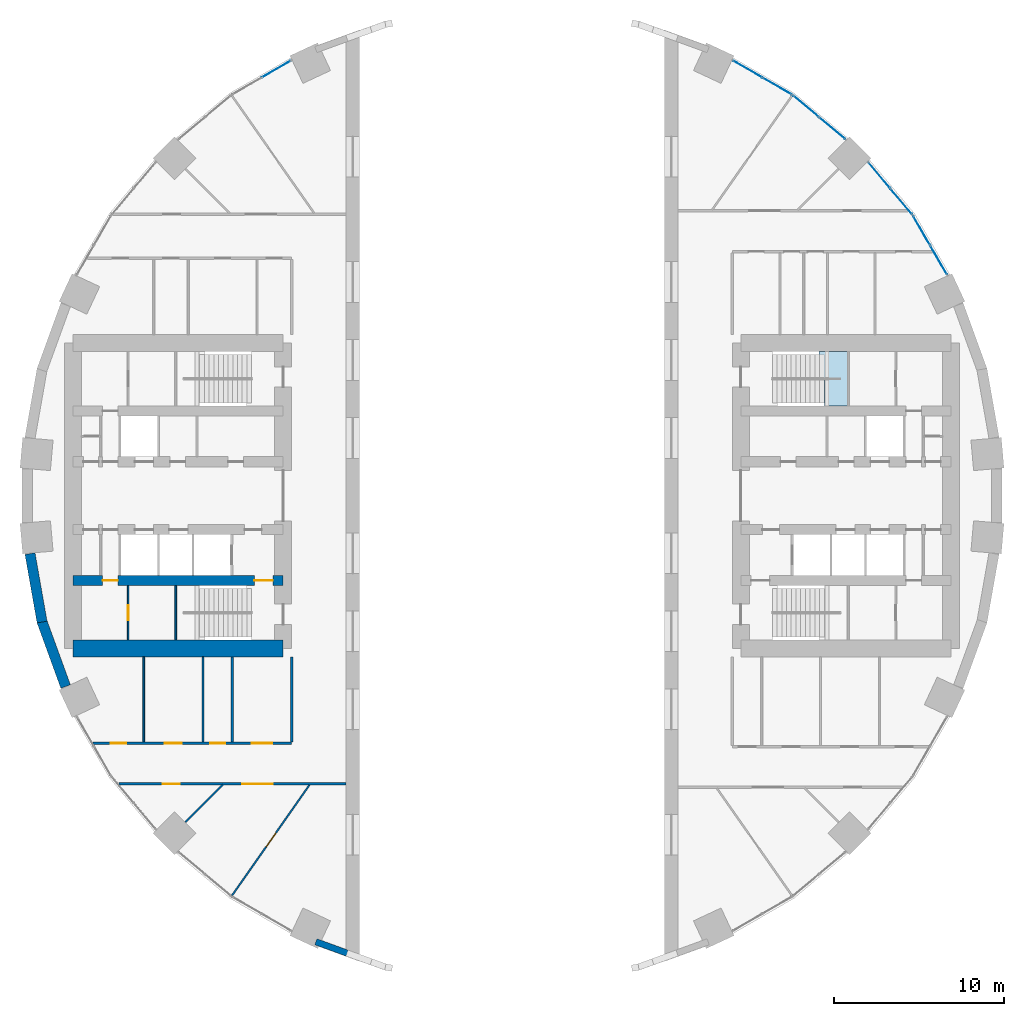
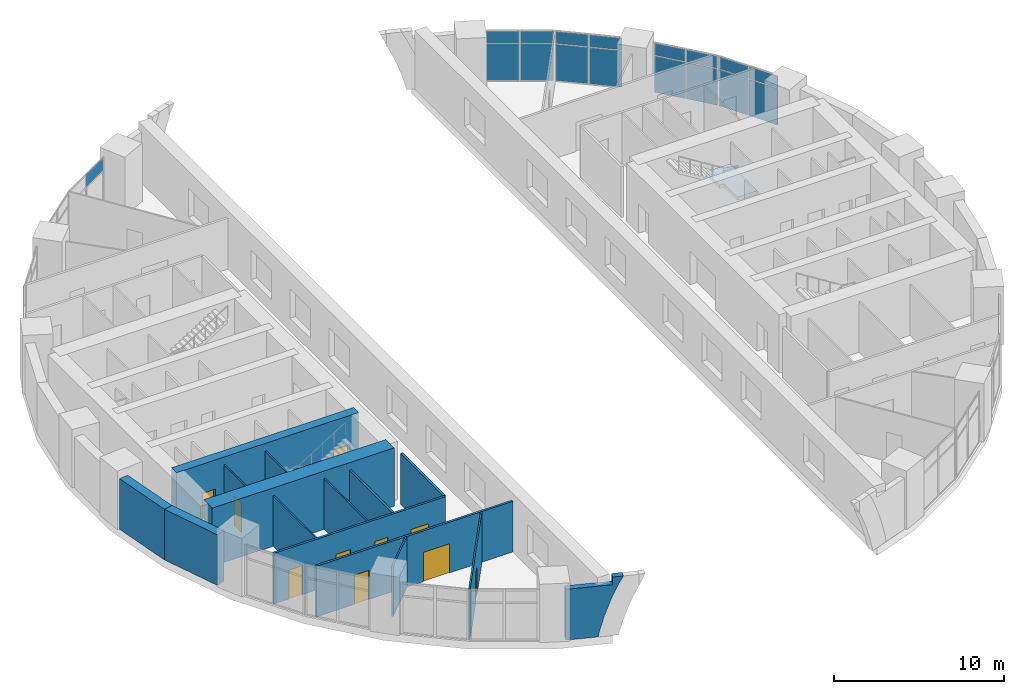
# One storey, part 7 of 13: 17 plates, 15 walls, 10 doors, 1 slab, 10 openings, 6 elements without a shape of their own.
"""IFC4 building model written with IfcOpenShell, lengths in metres."""

from ifc_helpers import new_model, si_unit, direction, frame, frame_2d, origin, origin_2d, place, context, subcontext, project, spatial, polyline, rectangle, outline, extrude, material, layer, layer_set, type_object, element, fill, aggregate, save


model = new_model("IFC4")

# Units and contexts
model_context = context("Model", 3, precision=1e-05, world=origin(), true_north=direction((0.0, 1.0)))
body_context = subcontext(model_context, "Body", "Model", "MODEL_VIEW")
ifc_project = project(units=[si_unit("LENGTHUNIT", "METRE"), si_unit("AREAUNIT", "SQUARE_METRE"), si_unit("VOLUMEUNIT", "CUBIC_METRE"), si_unit("PLANEANGLEUNIT", "RADIAN"), si_unit("MASSUNIT", "GRAM", prefix="KILO")], contexts=[model_context])

# Site, building, storey
site_placement = place(None, origin())
site = spatial("IfcSite", under=ifc_project, at=site_placement, CompositionType="ELEMENT")
building_placement = place(site_placement, origin())
building = spatial("IfcBuilding", under=site, at=building_placement, Name="Saqina Gate Tower", CompositionType="ELEMENT")
storey_placement = place(building_placement, frame((0.0, 0.0, 9.199951171875)))
storey = spatial("IfcBuildingStorey", under=building, at=storey_placement, Name="L02", CompositionType="ELEMENT", Elevation=9.199951171875)

# Curtain wall, plates
ifc_material_1 = material(Name="Aluminium glazing", Category="aluminium")
ifc_layer_1 = layer(ifc_material_1, 0.159912109375)
ifc_layer_set_1 = layer_set([ifc_layer_1], Name="CWT-1")
curtain_wall_type = type_object("IfcCurtainWallType", Name="CWT-1", PredefinedType="NOTDEFINED", material=ifc_layer_set_1)
curtain_wall_1_placement = place(storey_placement, origin())
curtain_wall_1 = element("IfcCurtainWall", 1, at=curtain_wall_1_placement, inside=storey, type_object=curtain_wall_type, Name="Podium shopfront facet 3", PredefinedType="NOTDEFINED")
ifc_material_2 = material(Name="Glass", Category="glass")
ifc_layer_2 = layer(ifc_material_2, 0.028076171875)
ifc_layer_set_2 = layer_set([ifc_layer_2], Name="CWT-1P")
plate_type = type_object("IfcPlateType", Name="CWT-1P", PredefinedType="CURTAIN_PANEL", material=ifc_layer_set_2)
plate_1_placement = place(storey_placement, frame((25.158935546875, 13.90283203125, 0.06005859375), z_axis=(0.0, 0.0, 1.0), x_axis=(-0.500013894893, 0.866017381415, 0.0)))
plate_1 = element("IfcPlate", 2, at=plate_1_placement, type_object=plate_type, Name="CW1-03 panel 1.1", PredefinedType="CURTAIN_PANEL", context=body_context, shape_type="SweptSolid", body=[
    extrude(rectangle(XDim=1.944580078125, YDim=0.028076171875, at=origin_2d()), origin(), (0.0, 0.0, 1.0), 2.610107421875),
])
plate_2_placement = place(storey_placement, frame((25.158935546875, 13.90283203125, 2.72998046875), z_axis=(0.0, 0.0, 1.0), x_axis=(-0.500013894893, 0.866017381415, 0.0)))
plate_2 = element("IfcPlate", 3, at=plate_2_placement, type_object=plate_type, Name="CW1-03 panel 1.2", PredefinedType="CURTAIN_PANEL", context=body_context, shape_type="SweptSolid", body=[
    extrude(rectangle(XDim=1.944580078125, YDim=0.028076171875, at=origin_2d()), origin(), (0.0, 0.0, 1.0), 0.860107421875),
])
plate_3_placement = place(storey_placement, frame((24.15673828125, 15.638671875, 0.06005859375), z_axis=(0.0, 0.0, 1.0), x_axis=(-0.500013894893, 0.866017381415, 0.0)))
plate_3 = element("IfcPlate", 4, at=plate_3_placement, type_object=plate_type, Name="CW1-03 panel 2.1", PredefinedType="CURTAIN_PANEL", context=body_context, shape_type="SweptSolid", body=[
    extrude(rectangle(XDim=1.944580078125, YDim=0.028076171875, at=origin_2d()), origin(), (0.0, 0.0, 1.0), 2.610107421875),
])
plate_4_placement = place(storey_placement, frame((24.15673828125, 15.638671875, 2.72998046875), z_axis=(0.0, 0.0, 1.0), x_axis=(-0.500013894893, 0.866017381415, 0.0)))
plate_4 = element("IfcPlate", 5, at=plate_4_placement, type_object=plate_type, Name="CW1-03 panel 2.2", PredefinedType="CURTAIN_PANEL", context=body_context, shape_type="SweptSolid", body=[
    extrude(rectangle(XDim=1.944580078125, YDim=0.028076171875, at=origin_2d()), origin(), (0.0, 0.0, 1.0), 0.860107421875),
])
aggregate(curtain_wall_1, [plate_1, plate_2, plate_3, plate_4])

curtain_wall_2_placement = place(storey_placement, origin())
curtain_wall_2 = element("IfcCurtainWall", 6, at=curtain_wall_2_placement, inside=storey, type_object=curtain_wall_type, Name="Podium shopfront facet 4", PredefinedType="NOTDEFINED")
plate_5_placement = place(storey_placement, frame((22.957763671875, 17.35107421875, 0.06005859375), z_axis=(0.0, 0.0, 1.0), x_axis=(-0.642779322911, 0.766051396473, 0.0)))
plate_5 = element("IfcPlate", 7, at=plate_5_placement, type_object=plate_type, Name="CW1-04 panel 1.1", PredefinedType="CURTAIN_PANEL", context=body_context, shape_type="SweptSolid", body=[
    extrude(rectangle(XDim=1.944580078125, YDim=0.028076171875, at=origin_2d()), origin(), (0.0, 0.0, 1.0), 2.610107421875),
])
plate_6_placement = place(storey_placement, frame((22.957763671875, 17.35107421875, 2.72998046875), z_axis=(0.0, 0.0, 1.0), x_axis=(-0.642779322911, 0.766051396473, 0.0)))
plate_6 = element("IfcPlate", 8, at=plate_6_placement, type_object=plate_type, Name="CW1-04 panel 1.2", PredefinedType="CURTAIN_PANEL", context=body_context, shape_type="SweptSolid", body=[
    extrude(rectangle(XDim=1.944580078125, YDim=0.028076171875, at=origin_2d()), origin(), (0.0, 0.0, 1.0), 0.860107421875),
])
plate_7_placement = place(storey_placement, frame((21.669189453125, 18.88671875, 0.06005859375), z_axis=(0.0, 0.0, 1.0), x_axis=(-0.642779322911, 0.766051396473, 0.0)))
plate_7 = element("IfcPlate", 9, at=plate_7_placement, type_object=plate_type, Name="CW1-04 panel 2.1", PredefinedType="CURTAIN_PANEL", context=body_context, shape_type="SweptSolid", body=[
    extrude(rectangle(XDim=1.944580078125, YDim=0.028076171875, at=origin_2d()), origin(), (0.0, 0.0, 1.0), 2.610107421875),
])
plate_8_placement = place(storey_placement, frame((21.669189453125, 18.88671875, 2.72998046875), z_axis=(0.0, 0.0, 1.0), x_axis=(-0.642779322911, 0.766051396473, 0.0)))
plate_8 = element("IfcPlate", 10, at=plate_8_placement, type_object=plate_type, Name="CW1-04 panel 2.2", PredefinedType="CURTAIN_PANEL", context=body_context, shape_type="SweptSolid", body=[
    extrude(rectangle(XDim=1.944580078125, YDim=0.028076171875, at=origin_2d()), origin(), (0.0, 0.0, 1.0), 0.860107421875),
])
aggregate(curtain_wall_2, [plate_5, plate_6, plate_7, plate_8])

curtain_wall_3_placement = place(storey_placement, origin())
curtain_wall_3 = element("IfcCurtainWall", 11, at=curtain_wall_3_placement, inside=storey, type_object=curtain_wall_type, Name="Podium shopfront facet 5", PredefinedType="NOTDEFINED")
plate_9_placement = place(storey_placement, frame((18.88671875, 21.669189453125, 0.06005859375), z_axis=(0.0, 0.0, 1.0), x_axis=(-0.766051396473, 0.642779322911, 0.0)))
plate_9 = element("IfcPlate", 12, at=plate_9_placement, type_object=plate_type, Name="CW1-05 panel 1.1", PredefinedType="CURTAIN_PANEL", context=body_context, shape_type="SweptSolid", body=[
    extrude(rectangle(XDim=1.944580078125, YDim=0.028076171875, at=origin_2d()), origin(), (0.0, 0.0, 1.0), 2.610107421875),
])
plate_10_placement = place(storey_placement, frame((18.88671875, 21.669189453125, 2.72998046875), z_axis=(0.0, 0.0, 1.0), x_axis=(-0.766051396473, 0.642779322911, 0.0)))
plate_10 = element("IfcPlate", 13, at=plate_10_placement, type_object=plate_type, Name="CW1-05 panel 1.2", PredefinedType="CURTAIN_PANEL", context=body_context, shape_type="SweptSolid", body=[
    extrude(rectangle(XDim=1.944580078125, YDim=0.028076171875, at=origin_2d()), origin(), (0.0, 0.0, 1.0), 0.860107421875),
])
plate_11_placement = place(storey_placement, frame((17.35107421875, 22.957763671875, 0.06005859375), z_axis=(0.0, 0.0, 1.0), x_axis=(-0.766051396473, 0.642779322911, 0.0)))
plate_11 = element("IfcPlate", 14, at=plate_11_placement, type_object=plate_type, Name="CW1-05 panel 2.1", PredefinedType="CURTAIN_PANEL", context=body_context, shape_type="SweptSolid", body=[
    extrude(rectangle(XDim=1.944580078125, YDim=0.028076171875, at=origin_2d()), origin(), (0.0, 0.0, 1.0), 2.610107421875),
])
plate_12_placement = place(storey_placement, frame((17.35107421875, 22.957763671875, 2.72998046875), z_axis=(0.0, 0.0, 1.0), x_axis=(-0.766051396473, 0.642779322911, 0.0)))
plate_12 = element("IfcPlate", 15, at=plate_12_placement, type_object=plate_type, Name="CW1-05 panel 2.2", PredefinedType="CURTAIN_PANEL", context=body_context, shape_type="SweptSolid", body=[
    extrude(rectangle(XDim=1.944580078125, YDim=0.028076171875, at=origin_2d()), origin(), (0.0, 0.0, 1.0), 0.860107421875),
])
aggregate(curtain_wall_3, [plate_9, plate_10, plate_11, plate_12])

curtain_wall_4_placement = place(storey_placement, origin())
curtain_wall_4 = element("IfcCurtainWall", 16, at=curtain_wall_4_placement, inside=storey, type_object=curtain_wall_type, Name="Podium shopfront facet 6", PredefinedType="NOTDEFINED")
plate_13_placement = place(storey_placement, frame((15.638671875, 24.15673828125, 0.06005859375), z_axis=(0.0, 0.0, 1.0), x_axis=(-0.866017381415, 0.500013894893, 0.0)))
plate_13 = element("IfcPlate", 17, at=plate_13_placement, type_object=plate_type, Name="CW1-06 panel 1.1", PredefinedType="CURTAIN_PANEL", context=body_context, shape_type="SweptSolid", body=[
    extrude(rectangle(XDim=1.944580078125, YDim=0.028076171875, at=origin_2d()), origin(), (0.0, 0.0, 1.0), 2.610107421875),
])
plate_14_placement = place(storey_placement, frame((15.638671875, 24.15673828125, 2.72998046875), z_axis=(0.0, 0.0, 1.0), x_axis=(-0.866017381415, 0.500013894893, 0.0)))
plate_14 = element("IfcPlate", 18, at=plate_14_placement, type_object=plate_type, Name="CW1-06 panel 1.2", PredefinedType="CURTAIN_PANEL", context=body_context, shape_type="SweptSolid", body=[
    extrude(rectangle(XDim=1.944580078125, YDim=0.028076171875, at=origin_2d()), origin(), (0.0, 0.0, 1.0), 0.860107421875),
])
plate_15_placement = place(storey_placement, frame((13.90283203125, 25.158935546875, 0.06005859375), z_axis=(0.0, 0.0, 1.0), x_axis=(-0.866017381415, 0.500013894893, 0.0)))
plate_15 = element("IfcPlate", 19, at=plate_15_placement, type_object=plate_type, Name="CW1-06 panel 2.1", PredefinedType="CURTAIN_PANEL", context=body_context, shape_type="SweptSolid", body=[
    extrude(rectangle(XDim=1.944580078125, YDim=0.028076171875, at=origin_2d()), origin(), (0.0, 0.0, 1.0), 2.610107421875),
])
plate_16_placement = place(storey_placement, frame((13.90283203125, 25.158935546875, 2.72998046875), z_axis=(0.0, 0.0, 1.0), x_axis=(-0.866017381415, 0.500013894893, 0.0)))
plate_16 = element("IfcPlate", 20, at=plate_16_placement, type_object=plate_type, Name="CW1-06 panel 2.2", PredefinedType="CURTAIN_PANEL", context=body_context, shape_type="SweptSolid", body=[
    extrude(rectangle(XDim=1.944580078125, YDim=0.028076171875, at=origin_2d()), origin(), (0.0, 0.0, 1.0), 0.860107421875),
])
aggregate(curtain_wall_4, [plate_13, plate_14, plate_15, plate_16])

# Curtain wall, plate
curtain_wall_5_placement = place(storey_placement, origin())
curtain_wall_5 = element("IfcCurtainWall", 21, at=curtain_wall_5_placement, inside=storey, type_object=curtain_wall_type, Name="Podium shopfront facet 12", PredefinedType="NOTDEFINED")
plate_17_placement = place(storey_placement, frame((-13.90283203125, 25.158935546875, 2.72998046875), z_axis=(0.0, 0.0, 1.0), x_axis=(-0.866017381415, -0.500013894893, 0.0)))
plate_17 = element("IfcPlate", 22, at=plate_17_placement, type_object=plate_type, Name="CW1-12 panel 1.2", PredefinedType="CURTAIN_PANEL", context=body_context, shape_type="SweptSolid", body=[
    extrude(rectangle(XDim=1.944580078125, YDim=0.028076171875, at=origin_2d()), origin(), (0.0, 0.0, 1.0), 0.860107421875),
])
aggregate(curtain_wall_5, [plate_17])

# Stair, slab
ifc_material_3 = material(Name="Concrete C40/50", Category="concrete")
stair_type = type_object("IfcStairType", Name="EXIT STAIR", PredefinedType="HALF_TURN_STAIR", material=ifc_material_3)
stair_placement = place(storey_placement, origin())
stair = element("IfcStair", 23, at=stair_placement, inside=storey, type_object=stair_type, Name="EXIT STAIR 1", PredefinedType="HALF_TURN_STAIR")
ifc_material_4 = material(Name="Concrete C40/50", Category="concrete")
ifc_layer_3 = layer(ifc_material_4, 0.25)
ifc_layer_set_3 = layer_set([ifc_layer_3], Name="Concrete C40/50")
slab_type = type_object("IfcSlabType", Name="EXIT STAIR LANDING", PredefinedType="LANDING", material=ifc_layer_set_3)
slab_placement = place(storey_placement, frame((0.0, 0.0, 1.85009765625)))
slab = element("IfcSlab", 24, at=slab_placement, type_object=slab_type, Name="EXIT STAIR 1 LANDING 1", PredefinedType="LANDING", context=body_context, shape_type="SweptSolid", body=[
    extrude(outline(polyline([(19.780029296875, 8.5), (19.780029296875, 5.300048828125), (18.425048828125, 5.300048828125), (18.425048828125, 6.89990234375), (18.10693359375, 6.89990234375), (18.10693359375, 8.5), (18.425048828125, 8.5), (18.429931640625, 8.5), (19.780029296875, 8.5)])), origin(), (0.0, 0.0, 1.0), 0.25),
])
aggregate(stair, [slab])

# Wall, opening, door
ifc_material_5 = material(Name="Gypsum board on steel studs", Category="steel")
ifc_layer_4 = layer(ifc_material_5, 0.10009765625)
ifc_layer_set_4 = layer_set([ifc_layer_4], Name="CORE PARTITION")
wall_type_1 = type_object("IfcWallType", Name="CORE PARTITION", PredefinedType="PARTITIONING", material=ifc_layer_set_4)
wall_1_placement = place(storey_placement, frame((-22.639892578125, -8.5, 0.0), z_axis=(0.0, 0.0, 1.0), x_axis=(0.0, 1.0, 0.0)))
wall_1 = element("IfcWall", 25, at=wall_1_placement, inside=storey, type_object=wall_type_1, Name="L02-CP-W14", PredefinedType="PARTITIONING", context=body_context, shape_type="SweptSolid", body=[
    extrude(rectangle(XDim=3.199951171875, YDim=0.10009765625, at=frame_2d((1.60009765625, 0.0))), origin(), (0.0, 0.0, 1.0), 3.650146484375),
])
opening_1_placement = place(wall_1_placement, frame((1.14990234375, 0.0, 0.0)))
opening_1 = element("IfcOpeningElement", 26, at=opening_1_placement, cuts=wall_1, Name="Opening L02-D116", PredefinedType="OPENING", context=body_context, shape_type="SweptSolid", body=[
    extrude(rectangle(XDim=0.89990234375, YDim=2.10009765625, at=frame_2d((0.449951171875, 1.050048828125))), frame((0.0, 0.06201171875, 0.0), z_axis=(0.0, -1.0, 0.0), x_axis=(1.0, 0.0, 0.0)), (0.0, 0.0, 1.0), 0.1240234375),
])
ifc_material_6 = material(Name="Steel-framed fire door leaf, EI 60", Category="steel")
door_type_1 = type_object("IfcDoorType", Name="SERVICE ROOM DOOR 900", OperationType="SINGLE_SWING_LEFT", PredefinedType="DOOR", material=ifc_material_6)
door_1_placement = place(opening_1_placement, frame((0.89990234375, 0.0, 0.0), z_axis=(0.0, 0.0, 1.0), x_axis=(-1.0, 0.0, 0.0)))
door_1 = element("IfcDoor", 27, at=door_1_placement, inside=storey, type_object=door_type_1, Name="L02-CD-W27", OperationType="SINGLE_SWING_RIGHT", OverallHeight=2.10009765625, OverallWidth=0.89990234375, PredefinedType="DOOR", context=body_context, shape_type="SweptSolid", body=[
    extrude(rectangle(XDim=0.89990234375, YDim=2.10009765625, at=frame_2d((0.449951171875, 1.050048828125))), frame((0.0, 0.02490234375, 0.0), z_axis=(0.0, -1.0, 0.0), x_axis=(1.0, 0.0, 0.0)), (0.0, 0.0, 1.0), 0.050048828125),
])
fill(opening_1, door_1)

# Walls
ifc_material_7 = material(Name="Glazed ceramic tile", Category="ceramic")
ifc_layer_5 = layer(ifc_material_7, 0.3798828125)
ifc_layer_set_5 = layer_set([ifc_layer_5], Name="FW-ARCH")
wall_type_2 = type_object("IfcWallType", Name="FW-ARCH", PredefinedType="SOLIDWALL", material=ifc_layer_set_5)
wall_2_placement = place(storey_placement, frame((-11.63427734375, -26.489501953125, 0.0), z_axis=(-0.342051555154, -0.93967909211, 0.001984305274), x_axis=(0.000667381896, 0.001868746859, 0.999998031191)))
element("IfcWall", 28, at=wall_2_placement, inside=storey, type_object=wall_type_2, Name="Arch frame wall L02 facet 25", PredefinedType="SOLIDWALL", context=body_context, shape_type="SweptSolid", body=[
    extrude(outline(polyline([(0.0, 0.0), (3.6501537019221018, -4.743384504624082e-20), (3.6501198020688137, -2.810119309742703), (4.199925557926761, -2.81025074623976), (4.199917719626534, -3.4670382149166654), (3.71920675976475, -3.2107254455572836), (2.622286896243544, -2.7269036098842347), (1.4948477201232493, -2.3276621119004526), (0.3427497354131093, -2.014606922465925), (-2.335139765218745e-05, -1.94881575440741), (0.0, 0.0)])), origin(), (0.0, 0.0, -1.0), 0.3798828125),
])
ifc_material_8 = material(Name="Glazed ceramic tile", Category="ceramic")
ifc_layer_6 = layer(ifc_material_8, 0.60009765625)
ifc_layer_set_6 = layer_set([ifc_layer_6], Name="FW-TILE")
wall_type_3 = type_object("IfcWallType", Name="FW-TILE", PredefinedType="SOLIDWALL", material=ifc_layer_set_6)
wall_3_placement = place(storey_placement, frame((-28.42822265625, -3.416748046875, 0.0), z_axis=(0.0, 0.0, 1.0), x_axis=(0.173673210505, -0.984803338719, 0.0)))
element("IfcWall", 29, at=wall_3_placement, inside=storey, type_object=wall_type_3, Name="Facade wall L02 facet 19", PredefinedType="SOLIDWALL", context=body_context, shape_type="SweptSolid", body=[
    extrude(rectangle(XDim=4.09912109375, YDim=0.60009765625, at=frame_2d((2.049560546875, 0.0))), origin(), (0.0, 0.0, 1.0), 3.650146484375),
])
ifc_material_9 = material(Name="Glazed ceramic tile (dark blue)", Category="ceramic")
ifc_layer_7 = layer(ifc_material_9, 0.60009765625)
ifc_layer_set_7 = layer_set([ifc_layer_7], Name="FW-TILE-CB")
wall_type_4 = type_object("IfcWallType", Name="FW-TILE-CB", PredefinedType="SOLIDWALL", material=ifc_layer_set_7)
wall_4_placement = place(storey_placement, frame((-27.72998046875, -7.403076171875, 0.0), z_axis=(0.0, 0.0, 1.0), x_axis=(0.342034744565, -0.939687306241, 0.0)))
element("IfcWall", 30, at=wall_4_placement, inside=storey, type_object=wall_type_4, Name="Facade wall L02 facet 20", PredefinedType="SOLIDWALL", context=body_context, shape_type="SweptSolid", body=[
    extrude(rectangle(XDim=4.099365234375, YDim=0.60009765625, at=frame_2d((2.0498046875, 0.0))), origin(), (0.0, 0.0, 1.0), 3.650146484375),
])
ifc_material_10 = material(Name="Gypsum board on steel studs, 100 mm", Category="steel")
ifc_layer_8 = layer(ifc_material_10, 0.10009765625)
ifc_layer_set_8 = layer_set([ifc_layer_8], Name="SPECIAL PARTITION 100")
wall_type_5 = type_object("IfcWallType", Name="SPECIAL PARTITION 100", PredefinedType="PARTITIONING", material=ifc_layer_set_8)
wall_5_placement = place(storey_placement, frame((-19.26220703125, -19.260986328125, 0.0), z_axis=(0.0, 0.0, 1.0), x_axis=(0.707302163116, 0.706911345256, 0.0)))
element("IfcWall", 31, at=wall_5_placement, inside=storey, type_object=wall_type_5, Name="PARTITION 013", PredefinedType="PARTITIONING", context=body_context, shape_type="SweptSolid", body=[
    extrude(rectangle(XDim=3.12353515625, YDim=0.10009765625, at=frame_2d((1.561767578125, 0.0))), origin(), (0.0, 0.0, 1.0), 3.650146484375),
])

# Wall, opening, door
wall_6_placement = place(storey_placement, frame((-16.51953125, -23.590576171875, 0.0), z_axis=(0.0, 0.0, 1.0), x_axis=(0.573630888732, 0.819113913624, 0.0)))
wall_6 = element("IfcWall", 32, at=wall_6_placement, inside=storey, type_object=wall_type_5, Name="PARTITION 015", PredefinedType="PARTITIONING", context=body_context, shape_type="SweptSolid", body=[
    extrude(rectangle(XDim=7.97119140625, YDim=0.10009765625, at=frame_2d((3.985595703125, 0.0))), origin(), (0.0, 0.0, 1.0), 3.650146484375),
])
opening_2_placement = place(wall_6_placement, frame((3.52294921875, 0.0, 0.0)))
opening_2 = element("IfcOpeningElement", 33, at=opening_2_placement, cuts=wall_6, Name="Opening L02-D22", PredefinedType="OPENING", context=body_context, shape_type="SweptSolid", body=[
    extrude(rectangle(XDim=1.0, YDim=2.10009765625, at=frame_2d((0.5, 1.050048828125))), frame((0.0, 0.06201171875, 0.0), z_axis=(0.0, -1.0, 0.0), x_axis=(1.0, 0.0, 0.0)), (0.0, 0.0, 1.0), 0.1240234375),
])
ifc_material_11 = material(Name="Timber door leaf", Category="wood")
door_type_2 = type_object("IfcDoorType", Name="SPECIAL DOOR 1000 TIMBER", OperationType="SINGLE_SWING_LEFT", PredefinedType="DOOR", material=ifc_material_11)
door_2_placement = place(opening_2_placement, frame((1.0, 0.0, 0.0), z_axis=(0.0, 0.0, 1.0), x_axis=(-1.0, 0.0, 0.0)))
door_2 = element("IfcDoor", 34, at=door_2_placement, inside=storey, type_object=door_type_2, Name="DOOR L02-D22", OperationType="SINGLE_SWING_LEFT", OverallHeight=2.10009765625, OverallWidth=1.0, PredefinedType="DOOR", context=body_context, shape_type="SweptSolid", body=[
    extrude(rectangle(XDim=1.0, YDim=2.10009765625, at=frame_2d((0.5, 1.050048828125))), frame((0.0, 0.02490234375, 0.0), z_axis=(0.0, -1.0, 0.0), x_axis=(1.0, 0.0, 0.0)), (0.0, 0.0, 1.0), 0.050048828125),
])
fill(opening_2, door_2)

# Walls
for number, where, z_axis, x_axis, name in (
    (35, (-18.22900390625, -14.52490234375, 0.0), (0.0, 0.0, 1.0), (0.0, 1.0, 0.0), "PARTITION 030"),
    (36, (-21.714111328125, -14.52490234375, 0.0), (0.0, 0.0, 1.0), (0.0, 1.0, 0.0), "PARTITION 033"),
):
    element("IfcWall", number, at=place(storey_placement, frame(where, z_axis=z_axis, x_axis=x_axis)), inside=storey, type_object=wall_type_5, Name=name, PredefinedType="PARTITIONING", context=body_context, shape_type="SweptSolid", body=[
        extrude(rectangle(XDim=5.02490234375, YDim=0.10009765625, at=frame_2d((2.512451171875, 0.0))), origin(), (0.0, 0.0, 1.0), 3.650146484375),
    ])

# Wall, openings, doors
ifc_material_12 = material(Name="Gypsum board on steel studs, 150 mm, fire rated", Category="steel")
ifc_layer_9 = layer(ifc_material_12, 0.14990234375)
ifc_layer_set_9 = layer_set([ifc_layer_9], Name="SPECIAL PARTITION EI 30 150")
wall_type_6 = type_object("IfcWallType", Name="SPECIAL PARTITION EI 30 150", PredefinedType="PARTITIONING", material=ifc_layer_set_9)
wall_7_placement = place(storey_placement, frame((-23.18701171875, -17.0, 0.0), z_axis=(0.0, 0.0, 1.0), x_axis=(1.0, 0.0, 0.0)))
wall_7 = element("IfcWall", 37, at=wall_7_placement, inside=storey, type_object=wall_type_6, Name="PARTITION 006", PredefinedType="PARTITIONING", context=body_context, shape_type="SweptSolid", body=[
    extrude(rectangle(XDim=13.386962890625, YDim=0.14990234375, at=frame_2d((6.693359375, 0.0))), origin(), (0.0, 0.0, 1.0), 3.650146484375),
])
opening_3_placement = place(wall_7_placement, frame((2.593505859375, 0.0, 0.0)))
opening_3 = element("IfcOpeningElement", 38, at=opening_3_placement, cuts=wall_7, Name="Opening L02-D19", PredefinedType="OPENING", context=body_context, shape_type="SweptSolid", body=[
    extrude(rectangle(XDim=1.0, YDim=2.10009765625, at=frame_2d((0.5, 1.050048828125))), frame((0.0, 0.0869140625, 0.0), z_axis=(0.0, -1.0, 0.0), x_axis=(1.0, 0.0, 0.0)), (0.0, 0.0, 1.0), 0.173828125),
])
opening_4_placement = place(wall_7_placement, frame((7.2890625, 0.0, 0.0)))
opening_4 = element("IfcOpeningElement", 39, at=opening_4_placement, cuts=wall_7, Name="Opening L02-D21", PredefinedType="OPENING", context=body_context, shape_type="SweptSolid", body=[
    extrude(rectangle(XDim=1.800048828125, YDim=2.10009765625, at=frame_2d((0.89990234375, 1.050048828125))), frame((0.0, 0.0869140625, 0.0), z_axis=(0.0, -1.0, 0.0), x_axis=(1.0, 0.0, 0.0)), (0.0, 0.0, 1.0), 0.173828125),
])
ifc_material_13 = material(Name="Steel-framed fire door leaf, EI 30", Category="steel")
door_type_3 = type_object("IfcDoorType", Name="SPECIAL DOOR 1000 FIRE EI 30", OperationType="SINGLE_SWING_LEFT", PredefinedType="DOOR", material=ifc_material_13)
door_3_placement = place(opening_3_placement, frame((1.0, 0.0, 0.0), z_axis=(0.0, 0.0, 1.0), x_axis=(-1.0, 0.0, 0.0)))
door_3 = element("IfcDoor", 40, at=door_3_placement, inside=storey, type_object=door_type_3, Name="DOOR L02-D19", OperationType="SINGLE_SWING_RIGHT", OverallHeight=2.10009765625, OverallWidth=1.0, PredefinedType="DOOR", context=body_context, shape_type="SweptSolid", body=[
    extrude(rectangle(XDim=1.0, YDim=2.10009765625, at=frame_2d((0.5, 1.050048828125))), frame((0.0, 0.02490234375, 0.0), z_axis=(0.0, -1.0, 0.0), x_axis=(1.0, 0.0, 0.0)), (0.0, 0.0, 1.0), 0.050048828125),
])
fill(opening_3, door_3)
ifc_material_14 = material(Name="Steel-framed fire door leaf, EI 30", Category="steel")
door_type_4 = type_object("IfcDoorType", Name="SPECIAL DOUBLE DOOR 1800 FIRE EI 30", OperationType="DOUBLE_DOOR_SINGLE_SWING", PredefinedType="DOOR", material=ifc_material_14)
door_4_placement = place(opening_4_placement, frame((1.800048828125, 0.0, 0.0), z_axis=(0.0, 0.0, 1.0), x_axis=(-1.0, 0.0, 0.0)))
door_4 = element("IfcDoor", 41, at=door_4_placement, inside=storey, type_object=door_type_4, Name="DOOR L02-D21", OperationType="DOUBLE_DOOR_SINGLE_SWING", OverallHeight=2.10009765625, OverallWidth=1.800048828125, PredefinedType="DOOR", context=body_context, shape_type="SweptSolid", body=[
    extrude(rectangle(XDim=1.800048828125, YDim=2.10009765625, at=frame_2d((0.89990234375, 1.050048828125))), frame((0.0, 0.02490234375, 0.0), z_axis=(0.0, -1.0, 0.0), x_axis=(1.0, 0.0, 0.0)), (0.0, 0.0, 1.0), 0.050048828125),
])
fill(opening_4, door_4)

ifc_material_15 = material(Name="Masonry block and plaster, 150 mm, fire rated", Category="masonry")
ifc_layer_10 = layer(ifc_material_15, 0.14990234375)
ifc_layer_set_10 = layer_set([ifc_layer_10], Name="SPECIAL PARTITION EI 60 150")
wall_type_7 = type_object("IfcWallType", Name="SPECIAL PARTITION EI 60 150", PredefinedType="PARTITIONING", material=ifc_layer_set_10)
wall_8_placement = place(storey_placement, frame((-24.697998046875, -14.60009765625, 0.0), z_axis=(0.0, 0.0, 1.0), x_axis=(1.0, 0.0, 0.0)))
wall_8 = element("IfcWall", 42, at=wall_8_placement, inside=storey, type_object=wall_type_7, Name="PARTITION 008", PredefinedType="PARTITIONING", context=body_context, shape_type="SweptSolid", body=[
    extrude(rectangle(XDim=11.697998046875, YDim=0.14990234375, at=frame_2d((5.84912109375, 0.0))), origin(), (0.0, 0.0, 1.0), 3.650146484375),
])
opening_5_placement = place(wall_8_placement, frame((1.0419921875, 0.0, 0.0)))
opening_5 = element("IfcOpeningElement", 43, at=opening_5_placement, cuts=wall_8, Name="Opening L02-D16", PredefinedType="OPENING", context=body_context, shape_type="SweptSolid", body=[
    extrude(rectangle(XDim=0.89990234375, YDim=2.10009765625, at=frame_2d((0.449951171875, 1.050048828125))), frame((0.0, 0.0869140625, 0.0), z_axis=(0.0, -1.0, 0.0), x_axis=(1.0, 0.0, 0.0)), (0.0, 0.0, 1.0), 0.173828125),
])
opening_6_placement = place(wall_8_placement, frame((4.2265625, 0.0, 0.0)))
opening_6 = element("IfcOpeningElement", 44, at=opening_6_placement, cuts=wall_8, Name="Opening L02-D17", PredefinedType="OPENING", context=body_context, shape_type="SweptSolid", body=[
    extrude(rectangle(XDim=1.0, YDim=2.10009765625, at=frame_2d((0.5, 1.050048828125))), frame((0.0, 0.0869140625, 0.0), z_axis=(0.0, -1.0, 0.0), x_axis=(1.0, 0.0, 0.0)), (0.0, 0.0, 1.0), 0.173828125),
])
opening_7_placement = place(wall_8_placement, frame((6.890380859375, 0.0, 0.0)))
opening_7 = element("IfcOpeningElement", 45, at=opening_7_placement, cuts=wall_8, Name="Opening L02-D18", PredefinedType="OPENING", context=body_context, shape_type="SweptSolid", body=[
    extrude(rectangle(XDim=0.89990234375, YDim=2.10009765625, at=frame_2d((0.449951171875, 1.050048828125))), frame((0.0, 0.0869140625, 0.0), z_axis=(0.0, -1.0, 0.0), x_axis=(1.0, 0.0, 0.0)), (0.0, 0.0, 1.0), 0.173828125),
])
opening_8_placement = place(wall_8_placement, frame((9.35498046875, 0.0, 0.0)))
opening_8 = element("IfcOpeningElement", 46, at=opening_8_placement, cuts=wall_8, Name="Opening L02-D20", PredefinedType="OPENING", context=body_context, shape_type="SweptSolid", body=[
    extrude(rectangle(XDim=1.199951171875, YDim=2.10009765625, at=frame_2d((0.60009765625, 1.050048828125))), frame((0.0, 0.0869140625, 0.0), z_axis=(0.0, -1.0, 0.0), x_axis=(1.0, 0.0, 0.0)), (0.0, 0.0, 1.0), 0.173828125),
])
ifc_material_16 = material(Name="Steel-framed fire door leaf, EI 60", Category="steel")
door_type_5 = type_object("IfcDoorType", Name="SPECIAL DOOR 1000 FIRE EI 60", OperationType="SINGLE_SWING_LEFT", PredefinedType="DOOR", material=ifc_material_16)
door_5_placement = place(opening_6_placement, origin())
door_5 = element("IfcDoor", 47, at=door_5_placement, inside=storey, type_object=door_type_5, Name="DOOR L02-D17", OperationType="SINGLE_SWING_LEFT", OverallHeight=2.10009765625, OverallWidth=1.0, PredefinedType="DOOR", context=body_context, shape_type="SweptSolid", body=[
    extrude(rectangle(XDim=1.0, YDim=2.10009765625, at=frame_2d((0.5, 1.050048828125))), frame((0.0, 0.02490234375, 0.0), z_axis=(0.0, -1.0, 0.0), x_axis=(1.0, 0.0, 0.0)), (0.0, 0.0, 1.0), 0.050048828125),
])
fill(opening_6, door_5)
ifc_material_17 = material(Name="Steel-framed fire door leaf, EI 60", Category="steel")
door_type_6 = type_object("IfcDoorType", Name="SPECIAL DOOR 1200 FIRE EI 60", OperationType="SINGLE_SWING_LEFT", PredefinedType="DOOR", material=ifc_material_17)
door_6_placement = place(opening_8_placement, origin())
door_6 = element("IfcDoor", 48, at=door_6_placement, inside=storey, type_object=door_type_6, Name="DOOR L02-D20", OperationType="SINGLE_SWING_RIGHT", OverallHeight=2.10009765625, OverallWidth=1.199951171875, PredefinedType="DOOR", context=body_context, shape_type="SweptSolid", body=[
    extrude(rectangle(XDim=1.199951171875, YDim=2.10009765625, at=frame_2d((0.60009765625, 1.050048828125))), frame((0.0, 0.02490234375, 0.0), z_axis=(0.0, -1.0, 0.0), x_axis=(1.0, 0.0, 0.0)), (0.0, 0.0, 1.0), 0.050048828125),
])
fill(opening_8, door_6)
ifc_material_18 = material(Name="Steel-framed fire door leaf, EI 60", Category="steel")
door_type_7 = type_object("IfcDoorType", Name="SPECIAL DOOR 900 FIRE EI 60", OperationType="SINGLE_SWING_LEFT", PredefinedType="DOOR", material=ifc_material_18)
door_7_placement = place(opening_5_placement, origin())
door_7 = element("IfcDoor", 49, at=door_7_placement, inside=storey, type_object=door_type_7, Name="DOOR L02-D16", OperationType="SINGLE_SWING_LEFT", OverallHeight=2.10009765625, OverallWidth=0.89990234375, PredefinedType="DOOR", context=body_context, shape_type="SweptSolid", body=[
    extrude(rectangle(XDim=0.89990234375, YDim=2.10009765625, at=frame_2d((0.449951171875, 1.050048828125))), frame((0.0, 0.02490234375, 0.0), z_axis=(0.0, -1.0, 0.0), x_axis=(1.0, 0.0, 0.0)), (0.0, 0.0, 1.0), 0.050048828125),
])
fill(opening_5, door_7)
door_8_placement = place(opening_7_placement, origin())
door_8 = element("IfcDoor", 50, at=door_8_placement, inside=storey, type_object=door_type_7, Name="DOOR L02-D18", OperationType="SINGLE_SWING_RIGHT", OverallHeight=2.10009765625, OverallWidth=0.89990234375, PredefinedType="DOOR", context=body_context, shape_type="SweptSolid", body=[
    extrude(rectangle(XDim=0.89990234375, YDim=2.10009765625, at=frame_2d((0.449951171875, 1.050048828125))), frame((0.0, 0.02490234375, 0.0), z_axis=(0.0, -1.0, 0.0), x_axis=(1.0, 0.0, 0.0)), (0.0, 0.0, 1.0), 0.050048828125),
])
fill(opening_7, door_8)

# Walls
for number, where, z_axis, x_axis, name in (
    (51, (-13.0, -14.52490234375, 0.0), (0.0, 0.0, 1.0), (0.0, 1.0, 0.0), "PARTITION 026"),
    (52, (-16.486083984375, -14.52490234375, 0.0), (0.0, 0.0, 1.0), (0.0, 1.0, 0.0), "PARTITION 029"),
):
    element("IfcWall", number, at=place(storey_placement, frame(where, z_axis=z_axis, x_axis=x_axis)), inside=storey, type_object=wall_type_7, Name=name, PredefinedType="PARTITIONING", context=body_context, shape_type="SweptSolid", body=[
        extrude(rectangle(XDim=5.02490234375, YDim=0.14990234375, at=frame_2d((2.512451171875, 0.0))), origin(), (0.0, 0.0, 1.0), 3.650146484375),
    ])
ifc_material_19 = material(Name="Autoclaved aerated concrete block", Category="concrete")
ifc_layer_11 = layer(ifc_material_19, 0.10009765625)
ifc_layer_set_11 = layer_set([ifc_layer_11], Name="STAIR ENCLOSURE WALL")
wall_type_8 = type_object("IfcWallType", Name="STAIR ENCLOSURE WALL", PredefinedType="PARTITIONING", material=ifc_layer_set_11)
wall_9_placement = place(storey_placement, frame((-19.830078125, -8.5, 0.0), z_axis=(0.0, 0.0, 1.0), x_axis=(0.0, 1.0, 0.0)))
element("IfcWall", 53, at=wall_9_placement, inside=storey, type_object=wall_type_8, Name="L02-CP-W13", PredefinedType="PARTITIONING", context=body_context, shape_type="SweptSolid", body=[
    extrude(rectangle(XDim=3.199951171875, YDim=0.10009765625, at=frame_2d((1.60009765625, 0.0))), origin(), (0.0, 0.0, 1.0), 3.650146484375),
])

# Wall, openings, doors
ifc_material_20 = material(Name="Concrete C70/85", Category="concrete")
ifc_layer_12 = layer(ifc_material_20, 0.60009765625)
ifc_layer_set_12 = layer_set([ifc_layer_12], Name="Concrete C70/85")
wall_type_9 = type_object("IfcWallType", Name="STR-CORE WALL-P-I", PredefinedType="SHEAR", material=ifc_layer_set_12)
wall_10_placement = place(storey_placement, frame((-13.5, -5.0, 0.0), z_axis=(0.0, 0.0, 1.0), x_axis=(-1.0, 0.0, 0.0)))
wall_10 = element("IfcWall", 54, at=wall_10_placement, inside=storey, type_object=wall_type_9, Name="CORE WALL L02 W-X2", PredefinedType="SHEAR", context=body_context, shape_type="SweptSolid", body=[
    extrude(rectangle(XDim=12.39990234375, YDim=0.60009765625, at=frame_2d((6.199951171875, 0.0))), origin(), (0.0, 0.0, 1.0), 4.199951171875),
])
opening_9_placement = place(wall_10_placement, frame((9.739990234375, 0.0, 0.0)))
opening_9 = element("IfcOpeningElement", 55, at=opening_9_placement, cuts=wall_10, Name="Opening L02-D117", PredefinedType="OPENING", context=body_context, shape_type="SweptSolid", body=[
    extrude(rectangle(XDim=0.89990234375, YDim=2.10009765625, at=frame_2d((0.449951171875, 1.050048828125))), frame((0.0, 0.31201171875, 0.0), z_axis=(0.0, -1.0, 0.0), x_axis=(1.0, 0.0, 0.0)), (0.0, 0.0, 1.0), 0.6240234375),
])
opening_10_placement = place(wall_10_placement, frame((0.60009765625, 0.0, 0.0)))
opening_10 = element("IfcOpeningElement", 56, at=opening_10_placement, cuts=wall_10, Name="Opening L02-D118", PredefinedType="OPENING", context=body_context, shape_type="SweptSolid", body=[
    extrude(rectangle(XDim=1.10009765625, YDim=2.10009765625, at=frame_2d((0.550048828125, 1.050048828125))), frame((0.0, 0.31201171875, 0.0), z_axis=(0.0, -1.0, 0.0), x_axis=(1.0, 0.0, 0.0)), (0.0, 0.0, 1.0), 0.6240234375),
])
ifc_material_21 = material(Name="Steel", Category="steel")
door_type_8 = type_object("IfcDoorType", Name="FIRE LOBBY DOOR EI 60 WIDE", OperationType="SINGLE_SWING_LEFT", PredefinedType="DOOR", material=ifc_material_21)
door_9_placement = place(opening_10_placement, origin())
door_9 = element("IfcDoor", 57, at=door_9_placement, inside=storey, type_object=door_type_8, Name="L02-CD-W29", OperationType="SINGLE_SWING_LEFT", OverallHeight=2.10009765625, OverallWidth=1.10009765625, PredefinedType="DOOR", context=body_context, shape_type="SweptSolid", body=[
    extrude(rectangle(XDim=1.10009765625, YDim=2.10009765625, at=frame_2d((0.550048828125, 1.050048828125))), frame((0.0, 0.02490234375, 0.0), z_axis=(0.0, -1.0, 0.0), x_axis=(1.0, 0.0, 0.0)), (0.0, 0.0, 1.0), 0.050048828125),
])
fill(opening_10, door_9)
door_10_placement = place(opening_9_placement, origin())
door_10 = element("IfcDoor", 58, at=door_10_placement, inside=storey, type_object=door_type_1, Name="L02-CD-W28", OperationType="SINGLE_SWING_LEFT", OverallHeight=2.10009765625, OverallWidth=0.89990234375, PredefinedType="DOOR", context=body_context, shape_type="SweptSolid", body=[
    extrude(rectangle(XDim=0.89990234375, YDim=2.10009765625, at=frame_2d((0.449951171875, 1.050048828125))), frame((0.0, 0.02490234375, 0.0), z_axis=(0.0, -1.0, 0.0), x_axis=(1.0, 0.0, 0.0)), (0.0, 0.0, 1.0), 0.050048828125),
])
fill(opening_9, door_10)

# Wall
ifc_material_22 = material(Name="Concrete C70/85", Category="concrete")
ifc_layer_13 = layer(ifc_material_22, 1.0)
ifc_layer_set_13 = layer_set([ifc_layer_13], Name="Concrete C70/85")
wall_type_10 = type_object("IfcWallType", Name="STR-CORE WALL-P-O", PredefinedType="SHEAR", material=ifc_layer_set_13)
wall_11_placement = place(storey_placement, frame((-13.5, -9.0, 0.0), z_axis=(0.0, 0.0, 1.0), x_axis=(-1.0, 0.0, 0.0)))
element("IfcWall", 59, at=wall_11_placement, inside=storey, type_object=wall_type_10, Name="CORE WALL L02 W-SE", PredefinedType="SHEAR", context=body_context, shape_type="SweptSolid", body=[
    extrude(rectangle(XDim=12.39990234375, YDim=1.0, at=frame_2d((6.199951171875, 0.0))), origin(), (0.0, 0.0, 1.0), 4.199951171875),
])

save(model, "model.ifc")
